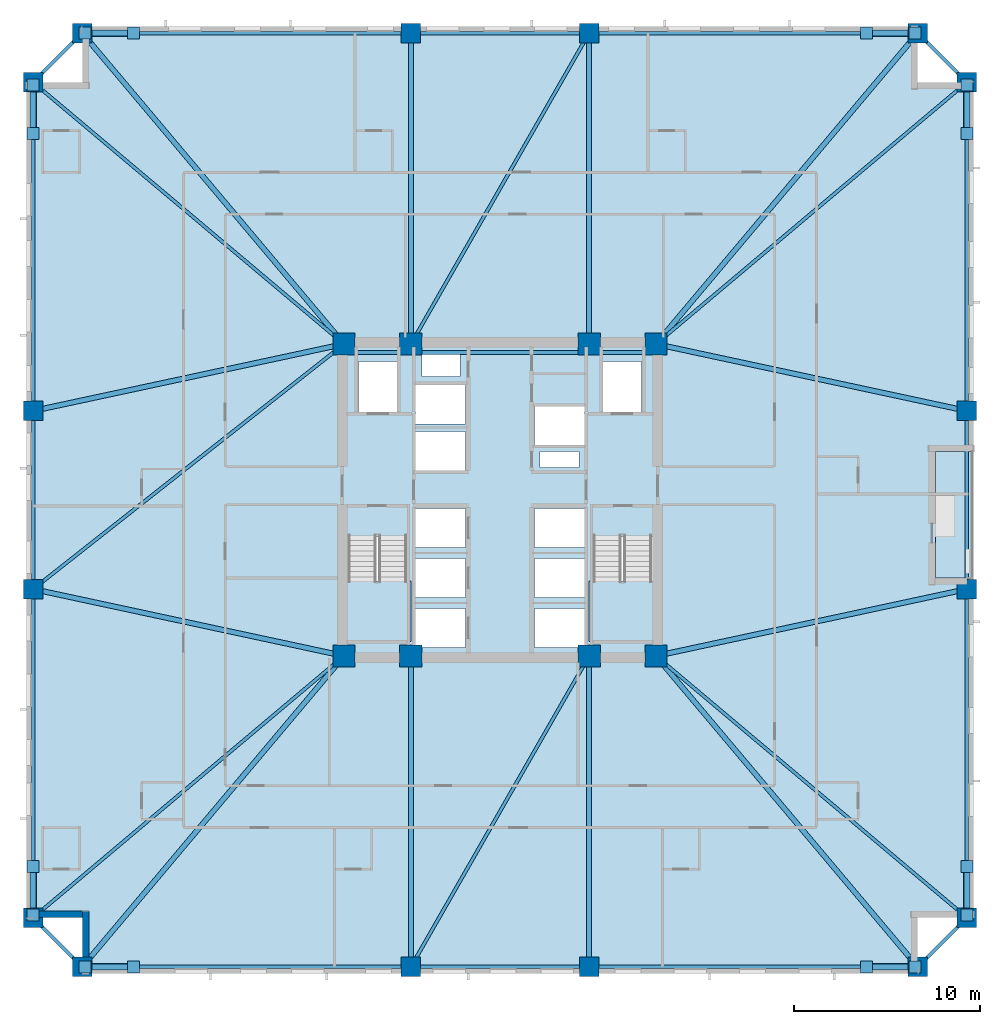
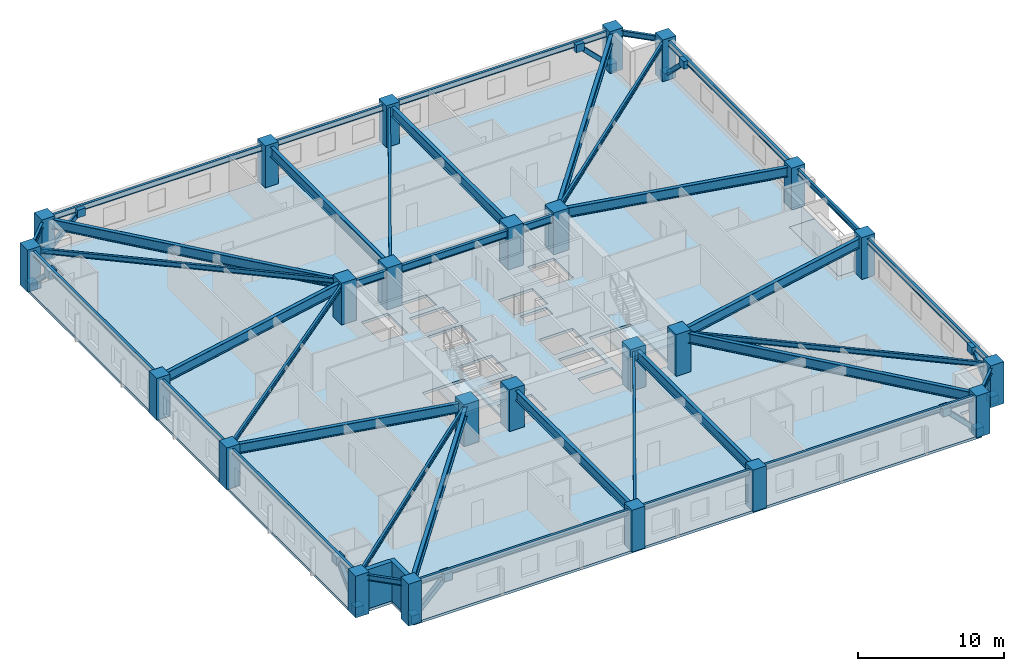
# One storey, part 1 of 11: 38 beams, 24 columns, 16 plates, 8 members, 4 slabs, 2 walls, 2 elements without a shape of their own.
"""IFC4 building model written with IfcOpenShell, lengths in metres."""

from ifc_helpers import new_model, si_unit, direction, frame, frame_2d, origin, origin_2d, place, context, subcontext, project, spatial, polyline, rectangle, hollow_rectangle, i_section, outline, extrude, material, layer, layer_set, material_profile, profile_set, type_object, element, aggregate, save


model = new_model("IFC4")

# Units and contexts
model_context = context("Model", 3, precision=1e-05, world=origin(), true_north=direction((0.0, 1.0)))
body_context = subcontext(model_context, "Body", "Model", "MODEL_VIEW")
ifc_project = project(units=[si_unit("LENGTHUNIT", "METRE"), si_unit("AREAUNIT", "SQUARE_METRE"), si_unit("VOLUMEUNIT", "CUBIC_METRE"), si_unit("PLANEANGLEUNIT", "RADIAN"), si_unit("MASSUNIT", "GRAM", prefix="KILO")], contexts=[model_context])

# Site, building, storey
site_placement = place(None, origin())
site = spatial("IfcSite", under=ifc_project, at=site_placement, CompositionType="ELEMENT")
building_placement = place(site_placement, origin())
building = spatial("IfcBuilding", under=site, at=building_placement, Name="Cairnveth Concourse Tower", CompositionType="ELEMENT")
storey_placement = place(building_placement, frame((0.0, 0.0, 65.5)))
storey = spatial("IfcBuildingStorey", under=building, at=storey_placement, Name="L17", CompositionType="ELEMENT", Elevation=65.5)

# Columns
ifc_material_1 = material(Name="Concrete N80 (80 MPa)", Category="concrete")
ifc_material_profile_1 = material_profile(ifc_material_1, rectangle(XDim=1.199951171875, YDim=1.199951171875, at=origin_2d()), Name="RC-COL-1200x1200")
ifc_profile_set_1 = profile_set([ifc_material_profile_1], Name="Concrete N80 (80 MPa)")
column_type_1 = type_object("IfcColumnType", Name="CORE COLUMN 1200X1200", PredefinedType="COLUMN", material=ifc_profile_set_1)
for number, where, z_axis, x_axis, name in (
    (1, (43.60009765625, 30.60009765625, 0.0), (0.0, 0.0, 1.0), (1.0, 0.0, 0.0), "Column CC1 L17"),
    (2, (47.199951171875, 30.60009765625, 0.0), (0.0, 0.0, 1.0), (1.0, 0.0, 0.0), "Column CC2 L17"),
    (3, (56.800048828125, 30.60009765625, 0.0), (0.0, 0.0, 1.0), (1.0, 0.0, 0.0), "Column CC3 L17"),
    (4, (60.39990234375, 30.60009765625, 0.0), (0.0, 0.0, 1.0), (1.0, 0.0, 0.0), "Column CC4 L17"),
    (5, (43.60009765625, 47.39990234375, 0.0), (0.0, 0.0, 1.0), (1.0, 0.0, 0.0), "Column CC5 L17"),
    (6, (47.199951171875, 47.39990234375, 0.0), (0.0, 0.0, 1.0), (1.0, 0.0, 0.0), "Column CC6 L17"),
    (7, (56.800048828125, 47.39990234375, 0.0), (0.0, 0.0, 1.0), (1.0, 0.0, 0.0), "Column CC7 L17"),
    (8, (60.39990234375, 47.39990234375, 0.0), (0.0, 0.0, 1.0), (1.0, 0.0, 0.0), "Column CC8 L17"),
):
    element("IfcColumn", number, at=place(storey_placement, frame(where, z_axis=z_axis, x_axis=x_axis)), inside=storey, type_object=column_type_1, Name=name, PredefinedType="COLUMN", context=body_context, shape_type="SweptSolid", body=[
        extrude(rectangle(XDim=1.199951171875, YDim=1.199951171875, at=origin_2d()), origin(), (0.0, 0.0, 1.0), 3.5),
    ])
ifc_material_2 = material(Name="Concrete N65 (65 MPa)", Category="concrete")
ifc_material_profile_2 = material_profile(ifc_material_2, rectangle(XDim=1.050048828125, YDim=1.050048828125, at=origin_2d()), Name="RC-COL-1050x1050")
ifc_profile_set_2 = profile_set([ifc_material_profile_2], Name="Concrete N65 (65 MPa)")
column_type_2 = type_object("IfcColumnType", Name="PERIMETER PIER COLUMN 1050X1050", PredefinedType="COLUMN", material=ifc_profile_set_2)
for number, where, z_axis, x_axis, name in (
    (9, (29.5, 13.85009765625, 0.0), (0.0, 0.0, 1.0), (1.0, 0.0, 0.0), "Column P-S1 L17"),
    (10, (47.199951171875, 13.85009765625, 0.0), (0.0, 0.0, 1.0), (1.0, 0.0, 0.0), "Column P-S2 L17"),
    (11, (56.800048828125, 13.85009765625, 0.0), (0.0, 0.0, 1.0), (1.0, 0.0, 0.0), "Column P-S3 L17"),
    (12, (74.5, 13.85009765625, 0.0), (0.0, 0.0, 1.0), (1.0, 0.0, 0.0), "Column P-S4 L17"),
    (13, (77.14990234375, 16.5, 0.0), (0.0, 0.0, 1.0), (0.0, 1.0, 0.0), "Column P-E1 L17"),
    (14, (77.14990234375, 34.199951171875, 0.0), (0.0, 0.0, 1.0), (0.0, 1.0, 0.0), "Column P-E2 L17"),
    (15, (77.14990234375, 43.800048828125, 0.0), (0.0, 0.0, 1.0), (0.0, 1.0, 0.0), "Column P-E3 L17"),
    (16, (77.14990234375, 61.5, 0.0), (0.0, 0.0, 1.0), (0.0, 1.0, 0.0), "Column P-E4 L17"),
    (17, (74.5, 64.14990234375, 0.0), (0.0, 0.0, 1.0), (1.0, 0.0, 0.0), "Column P-N1 L17"),
    (18, (56.800048828125, 64.14990234375, 0.0), (0.0, 0.0, 1.0), (1.0, 0.0, 0.0), "Column P-N2 L17"),
    (19, (47.199951171875, 64.14990234375, 0.0), (0.0, 0.0, 1.0), (1.0, 0.0, 0.0), "Column P-N3 L17"),
    (20, (29.5, 64.14990234375, 0.0), (0.0, 0.0, 1.0), (1.0, 0.0, 0.0), "Column P-N4 L17"),
    (21, (26.85009765625, 61.5, 0.0), (0.0, 0.0, 1.0), (0.0, 1.0, 0.0), "Column P-W1 L17"),
    (22, (26.85009765625, 43.800048828125, 0.0), (0.0, 0.0, 1.0), (0.0, 1.0, 0.0), "Column P-W2 L17"),
    (23, (26.85009765625, 34.199951171875, 0.0), (0.0, 0.0, 1.0), (0.0, 1.0, 0.0), "Column P-W3 L17"),
    (24, (26.85009765625, 16.5, 0.0), (0.0, 0.0, 1.0), (0.0, 1.0, 0.0), "Column P-W4 L17"),
):
    element("IfcColumn", number, at=place(storey_placement, frame(where, z_axis=z_axis, x_axis=x_axis)), inside=storey, type_object=column_type_2, Name=name, PredefinedType="COLUMN", context=body_context, shape_type="SweptSolid", body=[
        extrude(rectangle(XDim=1.050048828125, YDim=1.050048828125, at=origin_2d()), origin(), (0.0, 0.0, 1.0), 3.5),
    ])

# Beams
ifc_material_3 = material(Name="Steel Grade 350", Category="steel")
ifc_material_profile_3 = material_profile(ifc_material_3, i_section(OverallWidth=0.22802734375, OverallDepth=0.60693359375, WebThickness=0.01123046875, FlangeThickness=0.017333984375, FilletRadius=0.013916015625, at=origin_2d()), Name="610UB113")
ifc_profile_set_3 = profile_set([ifc_material_profile_3], Name="Steel Grade 350")
beam_type_1 = type_object("IfcBeamType", Name="CORE TIE BEAM 610UB113", PredefinedType="T_BEAM", material=ifc_profile_set_3)
for number, where, z_axis, x_axis, name in (
    (25, (43.60009765625, 46.949951171875, 2.9765625), (1.0, 0.0, 0.0), (0.0, 1.0, 0.0), "Beam CT-N1 L17"),
    (26, (56.800048828125, 46.949951171875, 2.9765625), (1.0, 0.0, 0.0), (0.0, 1.0, 0.0), "Beam CT-N3 L17"),
):
    element("IfcBeam", number, at=place(storey_placement, frame(where, z_axis=z_axis, x_axis=x_axis)), inside=storey, type_object=beam_type_1, Name=name, PredefinedType="T_BEAM", context=body_context, shape_type="SweptSolid", body=[
        extrude(i_section(OverallWidth=0.22802734375, OverallDepth=0.60693359375, WebThickness=0.01123046875, FlangeThickness=0.017333984375, FilletRadius=0.013916015625, at=origin_2d()), origin(), (0.0, 0.0, 1.0), 3.599853515625),
    ])
beam_1_placement = place(storey_placement, frame((47.199951171875, 46.949951171875, 2.9765625), z_axis=(1.0, 0.0, 0.0), x_axis=(0.0, 1.0, 0.0)))
element("IfcBeam", 27, at=beam_1_placement, inside=storey, type_object=beam_type_1, Name="Beam CT-N2 L17", PredefinedType="T_BEAM", context=body_context, shape_type="SweptSolid", body=[
    extrude(i_section(OverallWidth=0.22802734375, OverallDepth=0.60693359375, WebThickness=0.01123046875, FlangeThickness=0.017333984375, FilletRadius=0.013916015625, at=origin_2d()), origin(), (0.0, 0.0, 1.0), 9.60009765625),
])
ifc_material_profile_4 = material_profile(ifc_material_3, i_section(OverallWidth=0.177978515625, OverallDepth=0.406005859375, WebThickness=0.0078125, FlangeThickness=0.0126953125, FilletRadius=0.010986328125, at=origin_2d()), Name="410UB59.7")
ifc_profile_set_4 = profile_set([ifc_material_profile_4], Name="Steel Grade 350")
beam_type_2 = type_object("IfcBeamType", Name="ZONE 1 FLOOR JOIST 410UB59.7", PredefinedType="JOIST", material=ifc_profile_set_4)
for number, where, z_axis, x_axis, name in (
    (28, (26.85009765625, 16.5, 3.076904296875), (0.765027427674, 0.643997697905, 0.0), (-0.643997697905, 0.765027427674, 0.0), "Beam FJ-CSW2 L17"),
    (29, (77.14990234375, 16.5, 3.076904296875), (-0.765027427674, 0.643997697905, 0.0), (-0.643997697905, -0.765027427674, 0.0), "Beam FJ-CSE2 L17"),
    (30, (77.14990234375, 61.5, 3.076904296875), (-0.765027427674, -0.643997697905, 0.0), (0.643997697905, -0.765027427674, 0.0), "Beam FJ-CNE2 L17"),
    (31, (26.85009765625, 61.5, 3.076904296875), (0.765027427674, -0.643997697905, 0.0), (0.643997697905, 0.765027427674, 0.0), "Beam FJ-CNW2 L17"),
):
    element("IfcBeam", number, at=place(storey_placement, frame(where, z_axis=z_axis, x_axis=x_axis)), inside=storey, type_object=beam_type_2, Name=name, PredefinedType="JOIST", context=body_context, shape_type="SweptSolid", body=[
        extrude(i_section(OverallWidth=0.177978515625, OverallDepth=0.406005859375, WebThickness=0.0078125, FlangeThickness=0.0126953125, FilletRadius=0.010986328125, at=origin_2d()), origin(), (0.0, 0.0, 1.0), 21.89453125),
    ])
for number, where, z_axis, x_axis, name in (
    (32, (47.199951171875, 13.85009765625, 3.076904296875), (0.497257970706, 0.86760273776, 0.0), (-0.86760273776, 0.497257970706, 0.0), "Beam FJ-S-M1 L17"),
    (33, (47.199951171875, 47.39990234375, 3.076904296875), (0.497257970706, 0.86760273776, 0.0), (-0.86760273776, 0.497257970706, 0.0), "Beam FJ-N-M1 L17"),
):
    element("IfcBeam", number, at=place(storey_placement, frame(where, z_axis=z_axis, x_axis=x_axis)), inside=storey, type_object=beam_type_2, Name=name, PredefinedType="JOIST", context=body_context, shape_type="SweptSolid", body=[
        extrude(i_section(OverallWidth=0.177978515625, OverallDepth=0.406005859375, WebThickness=0.0078125, FlangeThickness=0.0126953125, FilletRadius=0.010986328125, at=origin_2d()), origin(), (0.0, 0.0, 1.0), 19.30615234375),
    ])
beam_2_placement = place(storey_placement, frame((26.85009765625, 34.199951171875, 3.076904296875), z_axis=(0.785423705995, 0.618958481694, 0.0), x_axis=(-0.618958481694, 0.785423705995, 0.0)))
element("IfcBeam", 34, at=beam_2_placement, inside=storey, type_object=beam_type_2, Name="Beam FJ-W-M1 L17", PredefinedType="JOIST", context=body_context, shape_type="SweptSolid", body=[
    extrude(i_section(OverallWidth=0.177978515625, OverallDepth=0.406005859375, WebThickness=0.0078125, FlangeThickness=0.0126953125, FilletRadius=0.010986328125, at=origin_2d()), origin(), (0.0, 0.0, 1.0), 21.326171875),
])

# Members
ifc_material_4 = material(Name="Steel C350L0 (350 MPa)", Category="steel")
ifc_material_profile_5 = material_profile(ifc_material_4, hollow_rectangle(XDim=0.35009765625, YDim=0.35009765625, WallThickness=0.01611328125, InnerFilletRadius=0.01611328125, OuterFilletRadius=0.031982421875, at=origin_2d()), Name="350x350x16.0SHS")
ifc_profile_set_5 = profile_set([ifc_material_profile_5], Name="Steel C350L0 (350 MPa)")
member_type = type_object("IfcMemberType", Name="ZONE 1 PIER BRACE 350X350X16SHS", PredefinedType="BRACE", material=ifc_profile_set_5)
for number, where, z_axis, x_axis, name in (
    (35, (29.64990234375, 13.85009765625, 0.25), (0.709834195787, 0.0, 0.704368805735), (0.0, 1.0, 0.0), "Structural Brace PB-S1 L17"),
    (36, (74.35009765625, 13.85009765625, 0.25), (-0.709834195787, 0.0, 0.704368805735), (0.0, -1.0, 0.0), "Structural Brace PB-S2 L17"),
    (37, (29.64990234375, 64.14990234375, 0.25), (0.709834195787, 0.0, 0.704368805735), (0.0, 1.0, 0.0), "Structural Brace PB-N1 L17"),
    (38, (74.35009765625, 64.14990234375, 0.25), (-0.709834195787, 0.0, 0.704368805735), (0.0, -1.0, 0.0), "Structural Brace PB-N2 L17"),
    (39, (26.85009765625, 16.64990234375, 0.25), (0.0, 0.709834195787, 0.704368805735), (-1.0, 0.0, 0.0), "Structural Brace PB-W1 L17"),
    (40, (26.85009765625, 61.35009765625, 0.25), (0.0, -0.709834195787, 0.704368805735), (1.0, 0.0, 0.0), "Structural Brace PB-W2 L17"),
    (41, (77.14990234375, 16.64990234375, 0.25), (0.0, 0.709834195787, 0.704368805735), (-1.0, 0.0, 0.0), "Structural Brace PB-E1 L17"),
    (42, (77.14990234375, 61.35009765625, 0.25), (0.0, -0.709834195787, 0.704368805735), (1.0, 0.0, 0.0), "Structural Brace PB-E2 L17"),
):
    element("IfcMember", number, at=place(storey_placement, frame(where, z_axis=z_axis, x_axis=x_axis)), inside=storey, type_object=member_type, Name=name, PredefinedType="BRACE", context=body_context, shape_type="SweptSolid", body=[
        extrude(hollow_rectangle(XDim=0.35009765625, YDim=0.35009765625, WallThickness=0.01611328125, InnerFilletRadius=0.01611328125, OuterFilletRadius=0.031982421875, at=origin_2d()), origin(), (0.0, 0.0, 1.0), 3.6630859375),
    ])

# Beams
ifc_material_profile_6 = material_profile(ifc_material_3, i_section(OverallWidth=0.27490234375, OverallDepth=0.81591796875, WebThickness=0.011962890625, FlangeThickness=0.028076171875, at=origin_2d()), Name="800WB192")
ifc_profile_set_6 = profile_set([ifc_material_profile_6], Name="Steel Grade 350")
beam_type_3 = type_object("IfcBeamType", Name="ZONE 1 RADIAL GIRDER 800WB192", PredefinedType="BEAM", material=ifc_profile_set_6)
for number, where, z_axis, x_axis, name in (
    (43, (47.199951171875, 13.85009765625, 2.8720703125), (0.0, 1.0, 0.0), (-1.0, 0.0, 0.0), "Beam RG-S1 L17"),
    (44, (56.800048828125, 13.85009765625, 2.8720703125), (0.0, 1.0, 0.0), (-1.0, 0.0, 0.0), "Beam RG-S2 L17"),
    (45, (47.199951171875, 47.39990234375, 2.8720703125), (0.0, 1.0, 0.0), (-1.0, 0.0, 0.0), "Beam RG-N1 L17"),
    (46, (56.800048828125, 47.39990234375, 2.8720703125), (0.0, 1.0, 0.0), (-1.0, 0.0, 0.0), "Beam RG-N2 L17"),
):
    element("IfcBeam", number, at=place(storey_placement, frame(where, z_axis=z_axis, x_axis=x_axis)), inside=storey, type_object=beam_type_3, Name=name, PredefinedType="BEAM", context=body_context, shape_type="SweptSolid", body=[
        extrude(i_section(OverallWidth=0.27490234375, OverallDepth=0.81591796875, WebThickness=0.011962890625, FlangeThickness=0.028076171875, at=origin_2d()), origin(), (0.0, 0.0, 1.0), 16.75),
    ])
for number, where, z_axis, x_axis, name in (
    (47, (26.85009765625, 34.199951171875, 2.8720703125), (0.977675861524, -0.210118799239, 0.0), (0.210118799239, 0.977675861524, 0.0), "Beam RG-W1 L17"),
    (48, (26.85009765625, 43.800048828125, 2.8720703125), (0.977675861524, 0.210118799239, 0.0), (-0.210118799239, 0.977675861524, 0.0), "Beam RG-W2 L17"),
    (49, (60.39990234375, 30.60009765625, 2.8720703125), (0.977675861524, 0.210118799239, 0.0), (-0.210118799239, 0.977675861524, 0.0), "Beam RG-E1 L17"),
    (50, (60.39990234375, 47.39990234375, 2.8720703125), (0.977675861524, -0.210118799239, 0.0), (0.210118799239, 0.977675861524, 0.0), "Beam RG-E2 L17"),
):
    element("IfcBeam", number, at=place(storey_placement, frame(where, z_axis=z_axis, x_axis=x_axis)), inside=storey, type_object=beam_type_3, Name=name, PredefinedType="BEAM", context=body_context, shape_type="SweptSolid", body=[
        extrude(i_section(OverallWidth=0.27490234375, OverallDepth=0.81591796875, WebThickness=0.011962890625, FlangeThickness=0.028076171875, at=origin_2d()), origin(), (0.0, 0.0, 1.0), 17.132568359375),
    ])
for number, where, z_axis, x_axis, name in (
    (51, (29.5, 13.85009765625, 2.8720703125), (0.643997697905, 0.765027427674, 0.0), (-0.765027427674, 0.643997697905, 0.0), "Beam RG-CSW L17"),
    (52, (74.5, 13.85009765625, 2.8720703125), (-0.643997697905, 0.765027427674, 0.0), (-0.765027427674, -0.643997697905, 0.0), "Beam RG-CSE L17"),
    (53, (74.5, 64.14990234375, 2.8720703125), (-0.643997697905, -0.765027427674, 0.0), (0.765027427674, -0.643997697905, 0.0), "Beam RG-CNE L17"),
    (54, (29.5, 64.14990234375, 2.8720703125), (0.643997697905, -0.765027427674, 0.0), (0.765027427674, 0.643997697905, 0.0), "Beam RG-CNW L17"),
):
    element("IfcBeam", number, at=place(storey_placement, frame(where, z_axis=z_axis, x_axis=x_axis)), inside=storey, type_object=beam_type_3, Name=name, PredefinedType="BEAM", context=body_context, shape_type="SweptSolid", body=[
        extrude(i_section(OverallWidth=0.27490234375, OverallDepth=0.81591796875, WebThickness=0.011962890625, FlangeThickness=0.028076171875, at=origin_2d()), origin(), (0.0, 0.0, 1.0), 21.89453125),
    ])
ifc_material_profile_7 = material_profile(ifc_material_3, i_section(OverallWidth=0.19091796875, OverallDepth=0.4599609375, WebThickness=0.010009765625, FlangeThickness=0.01611328125, FilletRadius=0.010986328125, at=origin_2d()), Name="460UB82.1")
ifc_profile_set_7 = profile_set([ifc_material_profile_7], Name="Steel Grade 350")
beam_type_4 = type_object("IfcBeamType", Name="ZONE 1 SPANDREL BEAM 460UB82.1", PredefinedType="SPANDREL", material=ifc_profile_set_7)
beam_3_placement = place(storey_placement, frame((29.5, 13.85009765625, 3.050048828125), z_axis=(1.0, 0.0, 0.0), x_axis=(0.0, 1.0, 0.0)))
element("IfcBeam", 55, at=beam_3_placement, inside=storey, type_object=beam_type_4, Name="Beam SP-S1 L17", PredefinedType="SPANDREL", context=body_context, shape_type="SweptSolid", body=[
    extrude(i_section(OverallWidth=0.19091796875, OverallDepth=0.4599609375, WebThickness=0.010009765625, FlangeThickness=0.01611328125, FilletRadius=0.010986328125, at=origin_2d()), origin(), (0.0, 0.0, 1.0), 17.699951171875),
])
beam_4_placement = place(storey_placement, frame((47.199951171875, 13.85009765625, 3.050048828125), z_axis=(1.0, 0.0, 0.0), x_axis=(0.0, 1.0, 0.0)))
element("IfcBeam", 56, at=beam_4_placement, inside=storey, type_object=beam_type_4, Name="Beam SP-S2 L17", PredefinedType="SPANDREL", context=body_context, shape_type="SweptSolid", body=[
    extrude(i_section(OverallWidth=0.19091796875, OverallDepth=0.4599609375, WebThickness=0.010009765625, FlangeThickness=0.01611328125, FilletRadius=0.010986328125, at=origin_2d()), origin(), (0.0, 0.0, 1.0), 9.60009765625),
])
for number, where, z_axis, x_axis, name in (
    (57, (56.800048828125, 13.85009765625, 3.050048828125), (1.0, 0.0, 0.0), (0.0, 1.0, 0.0), "Beam SP-S3 L17"),
    (58, (29.5, 64.14990234375, 3.050048828125), (1.0, 0.0, 0.0), (0.0, 1.0, 0.0), "Beam SP-N1 L17"),
):
    element("IfcBeam", number, at=place(storey_placement, frame(where, z_axis=z_axis, x_axis=x_axis)), inside=storey, type_object=beam_type_4, Name=name, PredefinedType="SPANDREL", context=body_context, shape_type="SweptSolid", body=[
        extrude(i_section(OverallWidth=0.19091796875, OverallDepth=0.4599609375, WebThickness=0.010009765625, FlangeThickness=0.01611328125, FilletRadius=0.010986328125, at=origin_2d()), origin(), (0.0, 0.0, 1.0), 17.699951171875),
    ])
beam_5_placement = place(storey_placement, frame((47.199951171875, 64.14990234375, 3.050048828125), z_axis=(1.0, 0.0, 0.0), x_axis=(0.0, 1.0, 0.0)))
element("IfcBeam", 59, at=beam_5_placement, inside=storey, type_object=beam_type_4, Name="Beam SP-N2 L17", PredefinedType="SPANDREL", context=body_context, shape_type="SweptSolid", body=[
    extrude(i_section(OverallWidth=0.19091796875, OverallDepth=0.4599609375, WebThickness=0.010009765625, FlangeThickness=0.01611328125, FilletRadius=0.010986328125, at=origin_2d()), origin(), (0.0, 0.0, 1.0), 9.60009765625),
])
for number, where, z_axis, x_axis, name in (
    (60, (56.800048828125, 64.14990234375, 3.050048828125), (1.0, 0.0, 0.0), (0.0, 1.0, 0.0), "Beam SP-N3 L17"),
    (61, (26.85009765625, 16.5, 3.050048828125), (0.0, 1.0, 0.0), (-1.0, 0.0, 0.0), "Beam SP-W1 L17"),
):
    element("IfcBeam", number, at=place(storey_placement, frame(where, z_axis=z_axis, x_axis=x_axis)), inside=storey, type_object=beam_type_4, Name=name, PredefinedType="SPANDREL", context=body_context, shape_type="SweptSolid", body=[
        extrude(i_section(OverallWidth=0.19091796875, OverallDepth=0.4599609375, WebThickness=0.010009765625, FlangeThickness=0.01611328125, FilletRadius=0.010986328125, at=origin_2d()), origin(), (0.0, 0.0, 1.0), 17.699951171875),
    ])
beam_6_placement = place(storey_placement, frame((26.85009765625, 34.199951171875, 3.050048828125), z_axis=(0.0, 1.0, 0.0), x_axis=(-1.0, 0.0, 0.0)))
element("IfcBeam", 62, at=beam_6_placement, inside=storey, type_object=beam_type_4, Name="Beam SP-W2 L17", PredefinedType="SPANDREL", context=body_context, shape_type="SweptSolid", body=[
    extrude(i_section(OverallWidth=0.19091796875, OverallDepth=0.4599609375, WebThickness=0.010009765625, FlangeThickness=0.01611328125, FilletRadius=0.010986328125, at=origin_2d()), origin(), (0.0, 0.0, 1.0), 9.60009765625),
])
for number, where, z_axis, x_axis, name in (
    (63, (26.85009765625, 43.800048828125, 3.050048828125), (0.0, 1.0, 0.0), (-1.0, 0.0, 0.0), "Beam SP-W3 L17"),
    (64, (77.14990234375, 16.5, 3.050048828125), (0.0, 1.0, 0.0), (-1.0, 0.0, 0.0), "Beam SP-E1 L17"),
):
    element("IfcBeam", number, at=place(storey_placement, frame(where, z_axis=z_axis, x_axis=x_axis)), inside=storey, type_object=beam_type_4, Name=name, PredefinedType="SPANDREL", context=body_context, shape_type="SweptSolid", body=[
        extrude(i_section(OverallWidth=0.19091796875, OverallDepth=0.4599609375, WebThickness=0.010009765625, FlangeThickness=0.01611328125, FilletRadius=0.010986328125, at=origin_2d()), origin(), (0.0, 0.0, 1.0), 17.699951171875),
    ])
beam_7_placement = place(storey_placement, frame((77.14990234375, 34.199951171875, 3.050048828125), z_axis=(0.0, 1.0, 0.0), x_axis=(-1.0, 0.0, 0.0)))
element("IfcBeam", 65, at=beam_7_placement, inside=storey, type_object=beam_type_4, Name="Beam SP-E2 L17", PredefinedType="SPANDREL", context=body_context, shape_type="SweptSolid", body=[
    extrude(i_section(OverallWidth=0.19091796875, OverallDepth=0.4599609375, WebThickness=0.010009765625, FlangeThickness=0.01611328125, FilletRadius=0.010986328125, at=origin_2d()), origin(), (0.0, 0.0, 1.0), 9.60009765625),
])
beam_8_placement = place(storey_placement, frame((77.14990234375, 43.800048828125, 3.050048828125), z_axis=(0.0, 1.0, 0.0), x_axis=(-1.0, 0.0, 0.0)))
element("IfcBeam", 66, at=beam_8_placement, inside=storey, type_object=beam_type_4, Name="Beam SP-E3 L17", PredefinedType="SPANDREL", context=body_context, shape_type="SweptSolid", body=[
    extrude(i_section(OverallWidth=0.19091796875, OverallDepth=0.4599609375, WebThickness=0.010009765625, FlangeThickness=0.01611328125, FilletRadius=0.010986328125, at=origin_2d()), origin(), (0.0, 0.0, 1.0), 17.699951171875),
])
for number, where, z_axis, x_axis, name in (
    (67, (26.85009765625, 16.5, 3.050048828125), (0.707106781187, -0.707106781187, 0.0), (0.707106781187, 0.707106781187, 0.0), "Beam SP-SW L17"),
    (68, (74.5, 13.85009765625, 3.050048828125), (0.707106781187, 0.707106781187, 0.0), (-0.707106781187, 0.707106781187, 0.0), "Beam SP-SE L17"),
    (69, (74.5, 64.14990234375, 3.050048828125), (0.707106781187, -0.707106781187, 0.0), (0.707106781187, 0.707106781187, 0.0), "Beam SP-NE L17"),
    (70, (26.85009765625, 61.5, 3.050048828125), (0.707106781187, 0.707106781187, 0.0), (-0.707106781187, 0.707106781187, 0.0), "Beam SP-NW L17"),
):
    element("IfcBeam", number, at=place(storey_placement, frame(where, z_axis=z_axis, x_axis=x_axis)), inside=storey, type_object=beam_type_4, Name=name, PredefinedType="SPANDREL", context=body_context, shape_type="SweptSolid", body=[
        extrude(i_section(OverallWidth=0.19091796875, OverallDepth=0.4599609375, WebThickness=0.010009765625, FlangeThickness=0.01611328125, FilletRadius=0.010986328125, at=origin_2d()), origin(), (0.0, 0.0, 1.0), 3.74755859375),
    ])

# Slab
ifc_material_5 = material(Name="Concrete N50 (50 MPa)", Category="concrete")
ifc_layer_1 = layer(ifc_material_5, 0.219970703125)
ifc_layer_set_1 = layer_set([ifc_layer_1], Name="Concrete N50 (50 MPa)")
slab_type_1 = type_object("IfcSlabType", Name="LOWER TOWER COMPOSITE SLAB 220", PredefinedType="FLOOR", material=ifc_layer_set_1)
slab_1_placement = place(storey_placement, frame((0.0, 0.0, -0.219970703125)))
element("IfcSlab", 71, at=slab_1_placement, inside=storey, type_object=slab_type_1, Name="Tower Floor Slab L17", PredefinedType="FLOOR", context=body_context, shape_type="SweptSolid", body=[
    extrude(outline(polyline([(77.5, 34.800048828125), (75.449951171875, 34.800048828125), (75.449951171875, 41.60009765625), (77.5, 41.60009765625), (77.5, 61.5), (74.5, 61.5), (74.5, 64.5), (29.5, 64.5), (29.5, 61.5), (26.5, 61.5), (26.5, 16.5), (29.5, 16.5), (29.5, 13.5), (74.5, 13.5), (74.5, 16.5), (77.5, 16.5), (77.5, 34.800048828125)]), holes=[polyline([(43.760009765625, 31.360107421875), (47.06005859375, 31.360107421875), (47.06005859375, 37.0400390625), (43.760009765625, 37.0400390625), (43.760009765625, 31.360107421875)]), polyline([(56.93994140625, 31.360107421875), (60.239990234375, 31.360107421875), (60.239990234375, 37.0400390625), (56.93994140625, 37.0400390625), (56.93994140625, 31.360107421875)]), polyline([(44.3701171875, 43.75), (46.469970703125, 43.75), (46.469970703125, 46.449951171875), (44.3701171875, 46.449951171875), (44.3701171875, 43.75)]), polyline([(57.530029296875, 43.75), (59.6298828125, 43.75), (59.6298828125, 46.449951171875), (57.530029296875, 46.449951171875), (57.530029296875, 43.75)]), polyline([(47.449951171875, 31.050048828125), (50.14990234375, 31.050048828125), (50.14990234375, 33.14990234375), (47.449951171875, 33.14990234375), (47.449951171875, 31.050048828125)]), polyline([(47.449951171875, 33.75), (50.14990234375, 33.75), (50.14990234375, 35.85009765625), (47.449951171875, 35.85009765625), (47.449951171875, 33.75)]), polyline([(47.449951171875, 36.449951171875), (50.14990234375, 36.449951171875), (50.14990234375, 38.550048828125), (47.449951171875, 38.550048828125), (47.449951171875, 36.449951171875)]), polyline([(53.85009765625, 31.050048828125), (56.550048828125, 31.050048828125), (56.550048828125, 33.14990234375), (53.85009765625, 33.14990234375), (53.85009765625, 31.050048828125)]), polyline([(53.85009765625, 33.75), (56.550048828125, 33.75), (56.550048828125, 35.85009765625), (53.85009765625, 35.85009765625), (53.85009765625, 33.75)]), polyline([(53.85009765625, 36.449951171875), (56.550048828125, 36.449951171875), (56.550048828125, 38.550048828125), (53.85009765625, 38.550048828125), (53.85009765625, 36.449951171875)]), polyline([(47.449951171875, 40.60009765625), (50.14990234375, 40.60009765625), (50.14990234375, 42.699951171875), (47.449951171875, 42.699951171875), (47.449951171875, 40.60009765625)]), polyline([(47.449951171875, 43.10009765625), (50.14990234375, 43.10009765625), (50.14990234375, 45.199951171875), (47.449951171875, 45.199951171875), (47.449951171875, 43.10009765625)]), polyline([(53.85009765625, 41.949951171875), (56.550048828125, 41.949951171875), (56.550048828125, 44.050048828125), (53.85009765625, 44.050048828125), (53.85009765625, 41.949951171875)]), polyline([(47.800048828125, 45.64990234375), (49.85009765625, 45.64990234375), (49.85009765625, 47.050048828125), (47.800048828125, 47.050048828125), (47.800048828125, 45.64990234375)]), polyline([(54.14990234375, 40.75), (56.25, 40.75), (56.25, 41.6201171875), (54.14990234375, 41.6201171875), (54.14990234375, 40.75)])]), origin(), (0.0, 0.0, 1.0), 0.219970703125),
])

# Plates
ifc_layer_2 = layer(ifc_material_3, 0.031982421875)
ifc_layer_set_2 = layer_set([ifc_layer_2], Name="Steel Grade 350")
plate_type = type_object("IfcPlateType", Name="PERIMETER BRACE GUSSET PLATE 32", PredefinedType="USERDEFINED", material=ifc_layer_set_2)
for number, where, z_axis, x_axis, name in (
    (72, (29.64990234375, 13.85009765625, -0.06982421875), (0.0, 0.0, 1.0), (1.0, 0.0, 0.0), "Structural Node Plate 0253 L17"),
    (73, (32.25, 13.85009765625, 2.51025390625), (0.0, 0.0, 1.0), (1.0, 0.0, 0.0), "Structural Node Plate 0254 L17"),
    (74, (74.35009765625, 13.85009765625, -0.06982421875), (0.0, 0.0, 1.0), (1.0, 0.0, 0.0), "Structural Node Plate 0255 L17"),
    (75, (71.75, 13.85009765625, 2.51025390625), (0.0, 0.0, 1.0), (1.0, 0.0, 0.0), "Structural Node Plate 0256 L17"),
    (76, (29.64990234375, 64.14990234375, -0.06982421875), (0.0, 0.0, 1.0), (1.0, 0.0, 0.0), "Structural Node Plate 0257 L17"),
    (77, (32.25, 64.14990234375, 2.51025390625), (0.0, 0.0, 1.0), (1.0, 0.0, 0.0), "Structural Node Plate 0258 L17"),
    (78, (74.35009765625, 64.14990234375, -0.06982421875), (0.0, 0.0, 1.0), (1.0, 0.0, 0.0), "Structural Node Plate 0259 L17"),
    (79, (71.75, 64.14990234375, 2.51025390625), (0.0, 0.0, 1.0), (1.0, 0.0, 0.0), "Structural Node Plate 0260 L17"),
    (80, (26.85009765625, 16.64990234375, -0.06982421875), (0.0, 0.0, 1.0), (1.0, 0.0, 0.0), "Structural Node Plate 0261 L17"),
    (81, (26.85009765625, 19.25, 2.51025390625), (0.0, 0.0, 1.0), (1.0, 0.0, 0.0), "Structural Node Plate 0262 L17"),
    (82, (26.85009765625, 61.35009765625, -0.06982421875), (0.0, 0.0, 1.0), (1.0, 0.0, 0.0), "Structural Node Plate 0263 L17"),
    (83, (26.85009765625, 58.75, 2.51025390625), (0.0, 0.0, 1.0), (1.0, 0.0, 0.0), "Structural Node Plate 0264 L17"),
    (84, (77.14990234375, 16.64990234375, -0.06982421875), (0.0, 0.0, 1.0), (1.0, 0.0, 0.0), "Structural Node Plate 0265 L17"),
    (85, (77.14990234375, 19.25, 2.51025390625), (0.0, 0.0, 1.0), (1.0, 0.0, 0.0), "Structural Node Plate 0266 L17"),
    (86, (77.14990234375, 61.35009765625, -0.06982421875), (0.0, 0.0, 1.0), (1.0, 0.0, 0.0), "Structural Node Plate 0267 L17"),
    (87, (77.14990234375, 58.75, 2.51025390625), (0.0, 0.0, 1.0), (1.0, 0.0, 0.0), "Structural Node Plate 0268 L17"),
):
    element("IfcPlate", number, at=place(storey_placement, frame(where, z_axis=z_axis, x_axis=x_axis)), inside=storey, type_object=plate_type, Name=name, ObjectType="GUSSET PLATE", PredefinedType="USERDEFINED", context=body_context, shape_type="SweptSolid", body=[
        extrude(rectangle(XDim=0.639892578125, YDim=0.639892578125, at=origin_2d()), origin(), (0.0, 0.0, 1.0), 0.639892578125),
    ])

# Slab
ifc_layer_3 = layer(ifc_material_5, 0.18994140625)
ifc_layer_set_3 = layer_set([ifc_layer_3], Name="Concrete N50 (50 MPa)")
slab_type_2 = type_object("IfcSlabType", Name="SPIRAL OUTDOOR TERRACE SLAB 190", PredefinedType="FLOOR", material=ifc_layer_set_3)
slab_2_placement = place(storey_placement, frame((0.0, 0.0, -0.18994140625)))
element("IfcSlab", 88, at=slab_2_placement, inside=storey, type_object=slab_type_2, Name="Spiral Terrace Slab L17", PredefinedType="FLOOR", context=body_context, shape_type="SweptSolid", body=[
    extrude(outline(polyline([(75.449951171875, 34.800048828125), (77.5, 34.800048828125), (77.5, 41.60009765625), (75.449951171875, 41.60009765625), (75.449951171875, 34.800048828125)])), origin(), (0.0, 0.0, 1.0), 0.18994140625),
])

# Stair, slab
ifc_material_6 = material(Name="Precast concrete N50 (50 MPa)", Category="concrete")
stair_type = type_object("IfcStairType", Name="CORE DOG-LEG FIRE STAIR 1500", PredefinedType="HALF_TURN_STAIR", material=ifc_material_6)
stair_1_placement = place(storey_placement, origin())
stair_1 = element("IfcStair", 89, at=stair_1_placement, inside=storey, type_object=stair_type, Name="L17 Fire-Isolated Stair ST-1", PredefinedType="HALF_TURN_STAIR")
ifc_layer_4 = layer(ifc_material_5, 0.199951171875)
ifc_layer_set_4 = layer_set([ifc_layer_4], Name="Concrete N50 (50 MPa)")
slab_type_3 = type_object("IfcSlabType", Name="STAIR HALF LANDING SLAB 200", PredefinedType="LANDING", material=ifc_layer_set_4)
slab_3_placement = place(storey_placement, frame((0.0, 0.0, 1.550048828125)))
slab_3 = element("IfcSlab", 90, at=slab_3_placement, type_object=slab_type_3, Name="ST-1 landing 1", PredefinedType="LANDING", context=body_context, shape_type="SweptSolid", body=[
    extrude(outline(polyline([(43.6201171875, 34.639892578125), (43.6201171875, 31.3701171875), (47.199951171875, 31.3701171875), (47.199951171875, 34.639892578125), (43.6201171875, 34.639892578125)])), origin(), (0.0, 0.0, 1.0), 0.199951171875),
])
aggregate(stair_1, [slab_3])

stair_2_placement = place(storey_placement, origin())
stair_2 = element("IfcStair", 91, at=stair_2_placement, inside=storey, type_object=stair_type, Name="L17 Fire-Isolated Stair ST-2", PredefinedType="HALF_TURN_STAIR")
slab_4_placement = place(storey_placement, frame((0.0, 0.0, 1.550048828125)))
slab_4 = element("IfcSlab", 92, at=slab_4_placement, type_object=slab_type_3, Name="ST-2 landing 1", PredefinedType="LANDING", context=body_context, shape_type="SweptSolid", body=[
    extrude(outline(polyline([(56.800048828125, 34.639892578125), (56.800048828125, 31.3701171875), (60.3798828125, 31.3701171875), (60.3798828125, 34.639892578125), (56.800048828125, 34.639892578125)])), origin(), (0.0, 0.0, 1.0), 0.199951171875),
])
aggregate(stair_2, [slab_4])

# Walls
ifc_material_7 = material(Name="Hawthorn Red-Ochre Fired Clay Brick Masonry", Category="masonry")
ifc_layer_5 = layer(ifc_material_7, 0.360107421875)
ifc_layer_set_5 = layer_set([ifc_layer_5], Name="Hawthorn Red-Ochre Fired Clay Brick Masonry")
wall_type = type_object("IfcWallType", Name="ZONE 1 BRICK PIER SPANDREL WALL 360", PredefinedType="SOLIDWALL", material=ifc_layer_set_5)
wall_1_placement = place(storey_placement, frame((29.679931640625, 13.5, 0.0), z_axis=(0.0, 0.0, 1.0), x_axis=(0.0, 1.0, 0.0)))
element("IfcWall", 93, at=wall_1_placement, inside=storey, type_object=wall_type, Name="Exterior Wall EW-L17-S04", PredefinedType="SOLIDWALL", context=body_context, shape_type="SweptSolid", body=[
    extrude(rectangle(XDim=3.360107421875, YDim=0.360107421875, at=frame_2d((1.68017578125, 0.0))), origin(), (0.0, 0.0, 1.0), 3.280029296875),
])
wall_2_placement = place(storey_placement, frame((29.52197265625, 16.679931640625, 0.0), z_axis=(0.0, 0.0, 1.0), x_axis=(-1.0, 0.0, 0.0)))
element("IfcWall", 94, at=wall_2_placement, inside=storey, type_object=wall_type, Name="Exterior Wall EW-L17-S05", PredefinedType="SOLIDWALL", context=body_context, shape_type="SweptSolid", body=[
    extrude(rectangle(XDim=2.68408203125, YDim=0.360107421875, at=frame_2d((1.342041015625, 0.0))), origin(), (0.0, 0.0, 1.0), 3.280029296875),
])

save(model, "model.ifc")
